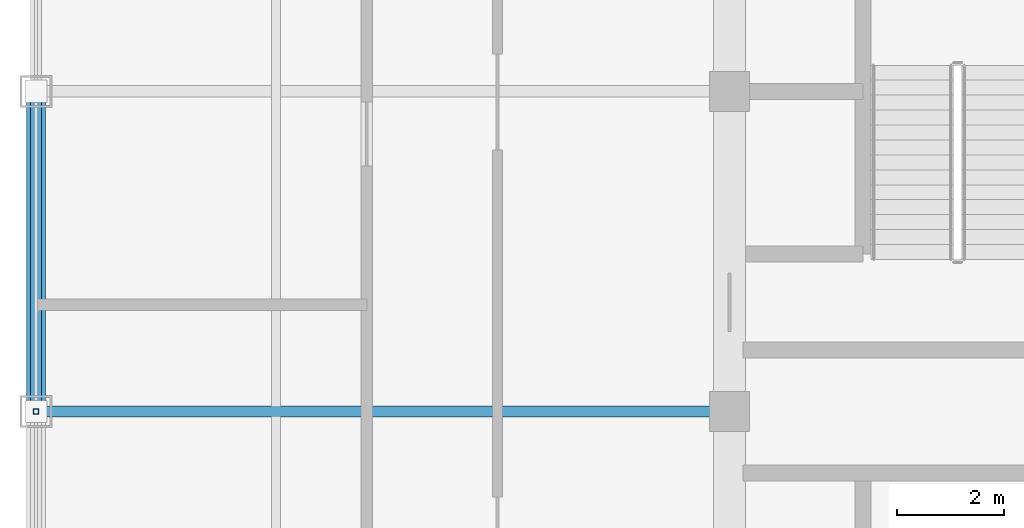
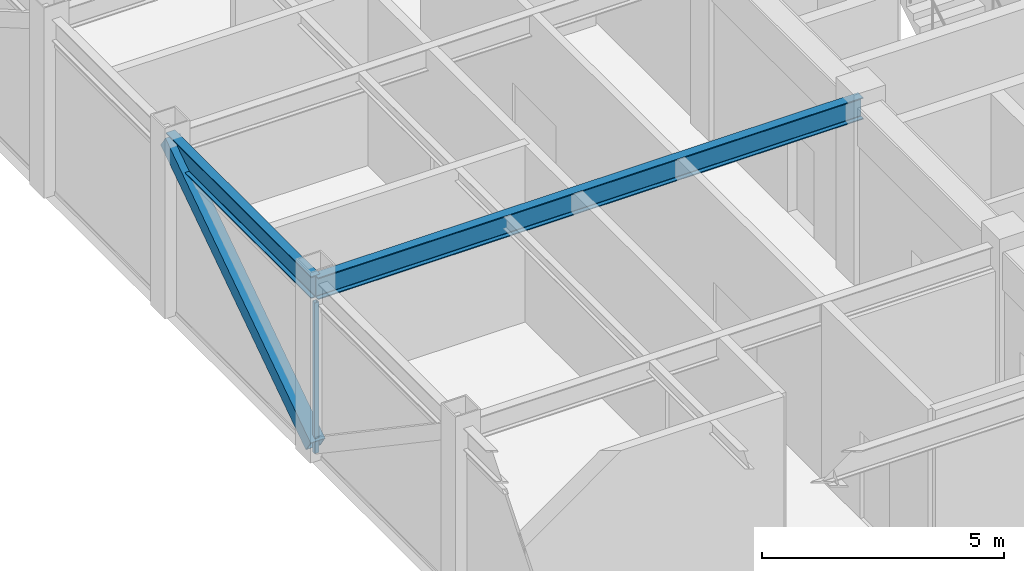
# One storey, part 6 of 27: 2 beams, 2 members, 1 element without a shape of its own.
"""IFC4 building model written with IfcOpenShell, lengths in metres."""

from ifc_helpers import new_model, si_unit, direction, frame, origin, origin_2d, place, context, subcontext, project, spatial, hollow_rectangle, i_section, extrude, source, transform, mapped, material, material_profile, profile_set, type_object, element, aggregate, save


model = new_model("IFC4")

# Units and contexts
model_context = context("Model", 3, precision=1e-05, world=origin(), true_north=direction((0.0, 1.0)))
body_context = subcontext(model_context, "Body", "Model", "MODEL_VIEW")
ifc_project = project(units=[si_unit("LENGTHUNIT", "METRE"), si_unit("AREAUNIT", "SQUARE_METRE"), si_unit("VOLUMEUNIT", "CUBIC_METRE"), si_unit("PLANEANGLEUNIT", "RADIAN"), si_unit("MASSUNIT", "GRAM", prefix="KILO")], contexts=[model_context])

# Site, building, storey
site_placement = place(None, origin())
site = spatial("IfcSite", under=ifc_project, at=site_placement, CompositionType="ELEMENT")
building_placement = place(site_placement, origin())
building = spatial("IfcBuilding", under=site, at=building_placement, Name="Khorayat Bourse Tower", CompositionType="ELEMENT")
storey_placement = place(building_placement, frame((0.0, 0.0, 380.300048828125)))
storey = spatial("IfcBuildingStorey", under=building, at=storey_placement, Name="L90", CompositionType="ELEMENT", Elevation=380.300048828125)

# Beams
ifc_material_1 = material(Name="Steel ASTM A992 Grade 50", Category="steel")
ifc_material_profile_1 = material_profile(ifc_material_1, i_section(OverallWidth=0.214111328125, OverallDepth=0.549072265625, WebThickness=0.0146484375, FlangeThickness=0.023681640625, FilletRadius=0.013916015625, at=origin_2d()), Name="W530X138")
ifc_profile_set_1 = profile_set([ifc_material_profile_1], Name="Steel ASTM A992 Grade 50")
beam_type_1 = type_object("IfcBeamType", Name="BM-SPAN-530", PredefinedType="SPANDREL", material=ifc_profile_set_1)
shared_shape_1 = source(origin(), body_context, "Body", "SweptSolid", [
    extrude(i_section(OverallWidth=0.214111328125, OverallDepth=0.549072265625, WebThickness=0.0146484375, FlangeThickness=0.023681640625, FilletRadius=0.013916015625, at=origin_2d()), origin(), (0.0, 0.0, 1.0), 6.0),
])
beam_1_placement = place(storey_placement, frame((-24.0, 0.0, 4.175537109375), z_axis=(0.0, 1.0, 0.0), x_axis=(-1.0, 0.0, 0.0)))
element("IfcBeam", 1, at=beam_1_placement, inside=storey, type_object=beam_type_1, Name="L90 BM-SPAN-530 BM-L90-SPN-050", PredefinedType="SPANDREL", context=body_context, shape_type="MappedRepresentation", body=[
    mapped(shared_shape_1, transform((0.0, 0.0, 0.0), scale=1.0)),
])
ifc_material_profile_2 = material_profile(ifc_material_1, i_section(OverallWidth=0.214111328125, OverallDepth=0.549072265625, WebThickness=0.0146484375, FlangeThickness=0.023681640625, FilletRadius=0.013916015625, at=origin_2d()), Name="W530X138")
ifc_profile_set_2 = profile_set([ifc_material_profile_2], Name="Steel ASTM A992 Grade 50")
beam_type_2 = type_object("IfcBeamType", Name="BM-GIRD-530", PredefinedType="BEAM", material=ifc_profile_set_2)
shared_shape_2 = source(origin(), body_context, "Body", "SweptSolid", [
    extrude(i_section(OverallWidth=0.214111328125, OverallDepth=0.549072265625, WebThickness=0.0146484375, FlangeThickness=0.023681640625, FilletRadius=0.013916015625, at=origin_2d()), origin(), (0.0, 0.0, 1.0), 13.0),
])
beam_2_placement = place(storey_placement, frame((-24.0, 0.0, 4.175537109375), z_axis=(1.0, 0.0, 0.0), x_axis=(0.0, 1.0, 0.0)))
element("IfcBeam", 2, at=beam_2_placement, inside=storey, type_object=beam_type_2, Name="L90 BM-GIRD-530 BM-L90-RADX-071", PredefinedType="BEAM", context=body_context, shape_type="MappedRepresentation", body=[
    mapped(shared_shape_2, transform((0.0, 0.0, 0.0), scale=1.0)),
])

# Member
ifc_material_2 = material(Name="Steel EN 10025-2 S355J2", Category="steel")
ifc_material_profile_3 = material_profile(ifc_material_2, hollow_rectangle(XDim=0.35009765625, YDim=0.35009765625, WallThickness=0.02001953125, at=origin_2d()), Name="HSS 350x350x20")
ifc_profile_set_3 = profile_set([ifc_material_profile_3], Name="Steel EN 10025-2 S355J2")
member_type_1 = type_object("IfcMemberType", Name="MBR-CROWN-350", PredefinedType="USERDEFINED", material=ifc_profile_set_3)
shared_shape_3 = source(origin(), body_context, "Body", "SweptSolid", [
    extrude(hollow_rectangle(XDim=0.35009765625, YDim=0.35009765625, WallThickness=0.02001953125, at=origin_2d()), origin(), (0.0, 0.0, 1.0), 7.239013671875),
])
member_1_placement = place(storey_placement, frame((-24.0, 0.0, 0.199951171875), z_axis=(0.0, 0.828845546207, 0.559477488852), x_axis=(-1.0, 0.0, 0.0)))
element("IfcMember", 3, at=member_1_placement, inside=storey, type_object=member_type_1, Name="L90 Lantern Crown Frame Member 11", ObjectType="CROWN FRAME", PredefinedType="USERDEFINED", context=body_context, shape_type="MappedRepresentation", body=[
    mapped(shared_shape_3, transform((0.0, 0.0, 0.0), scale=1.0)),
])

# Curtain wall, member
ifc_material_3 = material(Name="Aluminium EN AW-6063 T6", Category="aluminium")
curtain_wall_type = type_object("IfcCurtainWallType", Name="CW-SYS-07", PredefinedType="NOTDEFINED", material=ifc_material_3)
curtain_wall_placement = place(storey_placement, origin())
curtain_wall = element("IfcCurtainWall", 4, at=curtain_wall_placement, inside=storey, type_object=curtain_wall_type, Name="L90 Curtain Wall CW-L90-W1", PredefinedType="NOTDEFINED")
ifc_material_profile_4 = material_profile(ifc_material_3, hollow_rectangle(XDim=0.10009765625, YDim=0.10009765625, WallThickness=0.0048828125, at=origin_2d()), Name="ALU 100x100x5")
ifc_profile_set_4 = profile_set([ifc_material_profile_4], Name="Aluminium EN AW-6063 T6")
member_type_2 = type_object("IfcMemberType", Name="CWM-LANTERN-100", PredefinedType="MULLION", material=ifc_profile_set_4)
shared_shape_4 = source(origin(), body_context, "Body", "SweptSolid", [
    extrude(hollow_rectangle(XDim=0.10009765625, YDim=0.10009765625, WallThickness=0.0048828125, at=origin_2d()), origin(), (0.0, 0.0, 1.0), 3.800048828125),
])
member_2_placement = place(storey_placement, frame((-24.0, 0.0, 0.0), z_axis=(0.0, 0.0, 1.0), x_axis=(-1.0, 0.0, 0.0)))
member_2 = element("IfcMember", 5, at=member_2_placement, type_object=member_type_2, Name="CW-L90-W1 Vertical Mullion 2", PredefinedType="MULLION", context=body_context, shape_type="MappedRepresentation", body=[
    mapped(shared_shape_4, transform((0.0, 0.0, 0.0), scale=1.0)),
])
aggregate(curtain_wall, [member_2])

save(model, "model.ifc")
